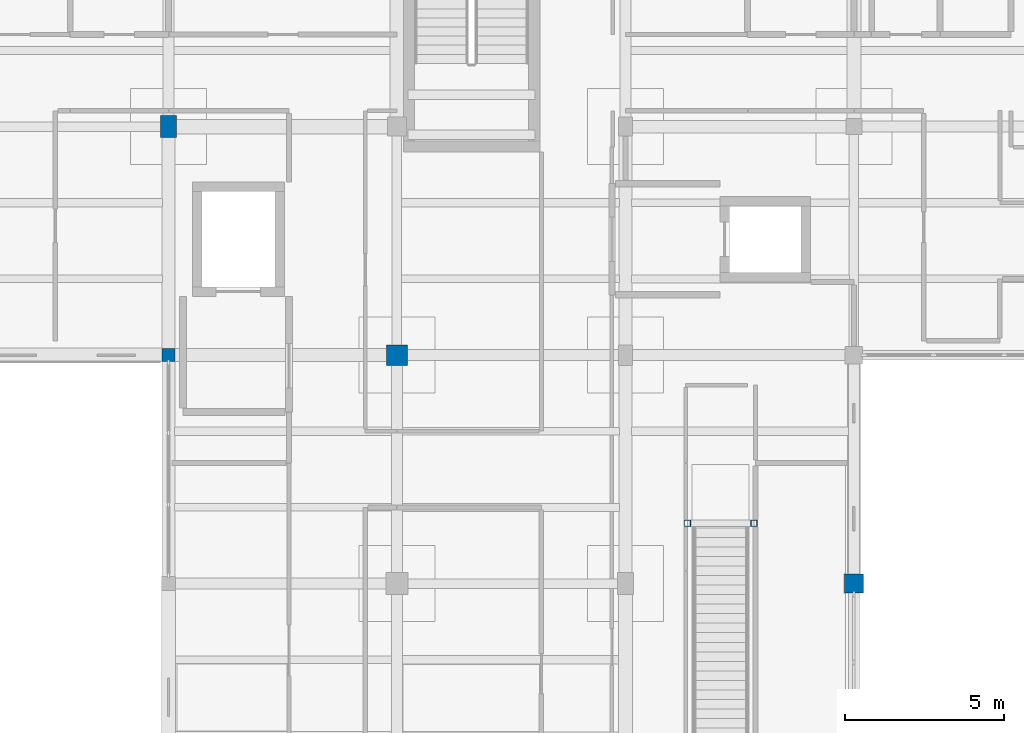
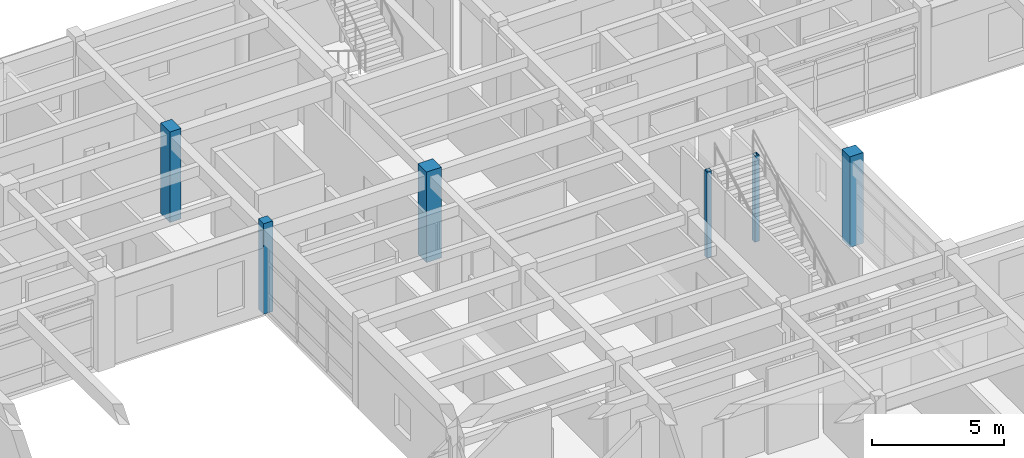
# One storey, part 3 of 110: 6 columns.
"""IFC4 building model written with IfcOpenShell, lengths in metres."""

from ifc_helpers import new_model, si_unit, direction, frame, origin, origin_2d, place, context, subcontext, project, spatial, rectangle, hollow_rectangle, extrude, material, material_profile, profile_set, type_object, element, save


model = new_model("IFC4")

# Units and contexts
model_context = context("Model", 3, precision=1e-05, world=origin(), true_north=direction((0.0, 1.0)))
body_context = subcontext(model_context, "Body", "Model", "MODEL_VIEW")
ifc_project = project(units=[si_unit("LENGTHUNIT", "METRE"), si_unit("AREAUNIT", "SQUARE_METRE"), si_unit("VOLUMEUNIT", "CUBIC_METRE"), si_unit("PLANEANGLEUNIT", "RADIAN"), si_unit("MASSUNIT", "GRAM", prefix="KILO")], contexts=[model_context])

# Site, building, storey
site_placement = place(None, origin())
site = spatial("IfcSite", under=ifc_project, at=site_placement, CompositionType="ELEMENT")
building_placement = place(site_placement, origin())
building = spatial("IfcBuilding", under=site, at=building_placement, Name="Steenspoor Specialist Clinic", CompositionType="ELEMENT")
storey_placement = place(building_placement, frame((0.0, 0.0, 4.800048828125)))
storey = spatial("IfcBuildingStorey", under=building, at=storey_placement, Name="L01", CompositionType="ELEMENT", Elevation=4.800048828125)

# Columns
ifc_material_1 = material(Name="Concrete C40/50", Category="concrete")
ifc_material_profile_1 = material_profile(ifc_material_1, rectangle(XDim=0.39990234375, YDim=0.39990234375, at=origin_2d()), Name="RC-COL-400X400")
ifc_profile_set_1 = profile_set([ifc_material_profile_1], Name="Concrete C40/50")
column_type_1 = type_object("IfcColumnType", Name="COL-RC-400", PredefinedType="COLUMN", material=ifc_profile_set_1)
column_1_placement = place(storey_placement, frame((74.0, 93.949951171875, 0.0), z_axis=(0.0, 0.0, 1.0), x_axis=(1.0, 0.0, 0.0)))
element("IfcColumn", 1, at=column_1_placement, inside=storey, type_object=column_type_1, Name="Column COL-L01-0289", PredefinedType="COLUMN", context=body_context, shape_type="SweptSolid", body=[
    extrude(rectangle(XDim=0.39990234375, YDim=0.39990234375, at=origin_2d()), origin(), (0.0, 0.0, 1.0), 4.199951171875),
])
ifc_material_profile_2 = material_profile(ifc_material_1, rectangle(XDim=0.5, YDim=0.699951171875, at=origin_2d()), Name="RC-COL-500X700")
ifc_profile_set_2 = profile_set([ifc_material_profile_2], Name="Concrete C40/50")
column_type_2 = type_object("IfcColumnType", Name="COL-RC-500X700", PredefinedType="COLUMN", material=ifc_profile_set_2)
column_2_placement = place(storey_placement, frame((74.0, 101.14990234375, 0.0), z_axis=(0.0, 0.0, 1.0), x_axis=(1.0, 0.0, 0.0)))
element("IfcColumn", 2, at=column_2_placement, inside=storey, type_object=column_type_2, Name="Column COL-L01-0295", PredefinedType="COLUMN", context=body_context, shape_type="SweptSolid", body=[
    extrude(rectangle(XDim=0.5, YDim=0.699951171875, at=origin_2d()), origin(), (0.0, 0.0, 1.0), 4.199951171875),
])
ifc_material_profile_3 = material_profile(ifc_material_1, rectangle(XDim=0.60009765625, YDim=0.60009765625, at=origin_2d()), Name="RC-COL-600X600")
ifc_profile_set_3 = profile_set([ifc_material_profile_3], Name="Concrete C40/50")
column_type_3 = type_object("IfcColumnType", Name="COL-RC-600", PredefinedType="COLUMN", material=ifc_profile_set_3)
column_3_placement = place(storey_placement, frame((95.60009765625, 86.75, 0.0), z_axis=(0.0, 0.0, 1.0), x_axis=(1.0, 0.0, 0.0)))
element("IfcColumn", 3, at=column_3_placement, inside=storey, type_object=column_type_3, Name="Column COL-L01-0394", PredefinedType="COLUMN", context=body_context, shape_type="SweptSolid", body=[
    extrude(rectangle(XDim=0.60009765625, YDim=0.60009765625, at=origin_2d()), origin(), (0.0, 0.0, 1.0), 4.199951171875),
])
ifc_material_profile_4 = material_profile(ifc_material_1, rectangle(XDim=0.64990234375, YDim=0.64990234375, at=origin_2d()), Name="RC-COL-650X650")
ifc_profile_set_4 = profile_set([ifc_material_profile_4], Name="Concrete C40/50")
column_type_4 = type_object("IfcColumnType", Name="COL-RC-650", PredefinedType="COLUMN", material=ifc_profile_set_4)
column_4_placement = place(storey_placement, frame((81.199951171875, 93.949951171875, 0.0), z_axis=(0.0, 0.0, 1.0), x_axis=(1.0, 0.0, 0.0)))
element("IfcColumn", 4, at=column_4_placement, inside=storey, type_object=column_type_4, Name="Column COL-L01-0326", PredefinedType="COLUMN", context=body_context, shape_type="SweptSolid", body=[
    extrude(rectangle(XDim=0.64990234375, YDim=0.64990234375, at=origin_2d()), origin(), (0.0, 0.0, 1.0), 4.199951171875),
])
ifc_material_2 = material(Name="Steel A500 Grade C", Category="steel")
ifc_material_profile_5 = material_profile(ifc_material_2, hollow_rectangle(XDim=0.203125, YDim=0.203125, WallThickness=0.01171875, at=origin_2d()), Name="HSS203X203X12.7")
ifc_profile_set_5 = profile_set([ifc_material_profile_5], Name="Steel A500 Grade C")
column_type_5 = type_object("IfcColumnType", Name="COL-ST-HSS203", PredefinedType="COLUMN", material=ifc_profile_set_5)
for number, where, z_axis, x_axis, name in (
    (5, (90.35009765625, 88.64990234375, 0.0), (0.0, 0.0, 1.0), (1.0, 0.0, 0.0), "Feature Stair Post ST-F03 L"),
    (6, (92.449951171875, 88.64990234375, 0.0), (0.0, 0.0, 1.0), (1.0, 0.0, 0.0), "Feature Stair Post ST-F03 R"),
):
    element("IfcColumn", number, at=place(storey_placement, frame(where, z_axis=z_axis, x_axis=x_axis)), inside=storey, type_object=column_type_5, Name=name, PredefinedType="COLUMN", context=body_context, shape_type="SweptSolid", body=[
        extrude(hollow_rectangle(XDim=0.203125, YDim=0.203125, WallThickness=0.01171875, at=origin_2d()), origin(), (0.0, 0.0, 1.0), 4.0),
    ])

save(model, "model.ifc")
